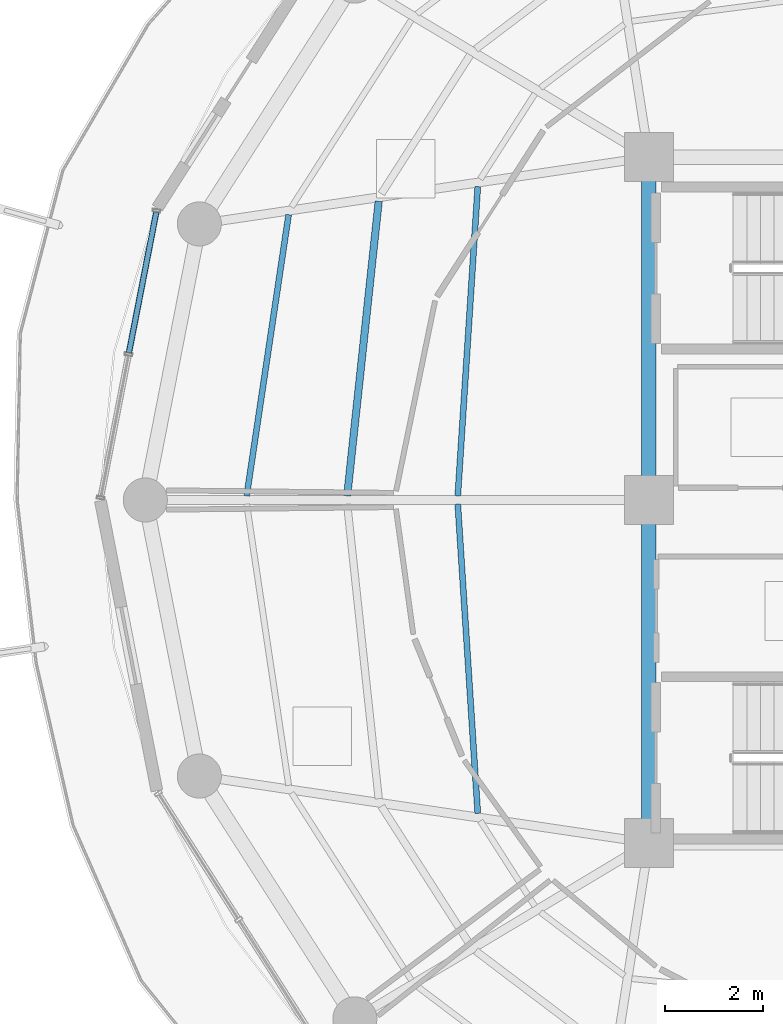
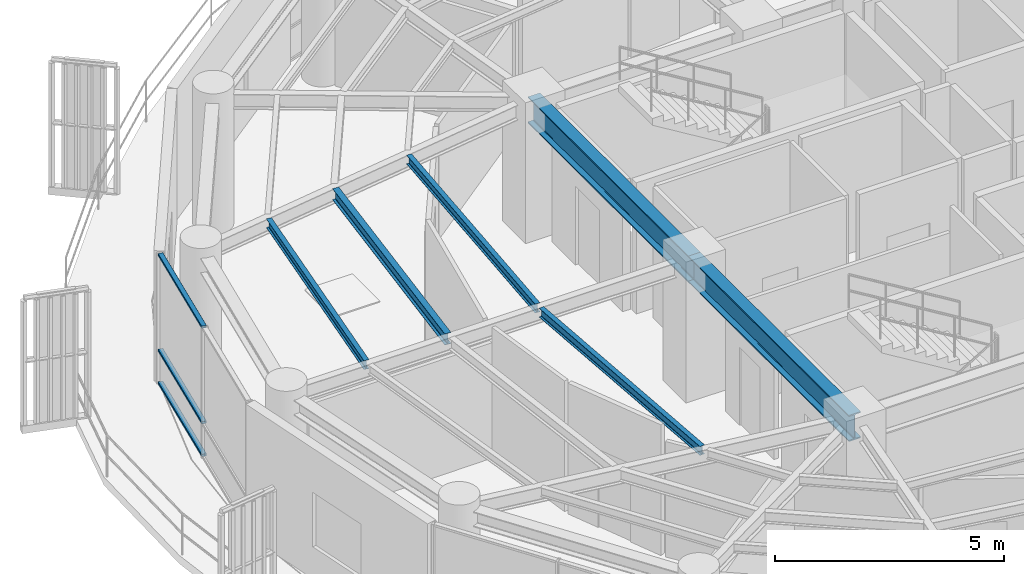
# One storey, part 6 of 22: 6 beams, 3 members, 1 element without a shape of its own.
"""IFC4 building model written with IfcOpenShell, lengths in metres."""

from ifc_helpers import new_model, si_unit, direction, frame, origin, origin_2d, place, context, subcontext, project, spatial, hollow_rectangle, i_section, extrude, material, layer, layer_set, material_profile, profile_set, type_object, element, aggregate, save


model = new_model("IFC4")

# Units and contexts
model_context = context("Model", 3, precision=1e-05, world=origin(), true_north=direction((0.0, 1.0)))
body_context = subcontext(model_context, "Body", "Model", "MODEL_VIEW")
ifc_project = project(units=[si_unit("LENGTHUNIT", "METRE"), si_unit("AREAUNIT", "SQUARE_METRE"), si_unit("VOLUMEUNIT", "CUBIC_METRE"), si_unit("PLANEANGLEUNIT", "RADIAN"), si_unit("MASSUNIT", "GRAM", prefix="KILO")], contexts=[model_context])

# Site, building, storey
site_placement = place(None, origin())
site = spatial("IfcSite", under=ifc_project, at=site_placement, CompositionType="ELEMENT")
building_placement = place(site_placement, origin())
building = spatial("IfcBuilding", under=site, at=building_placement, Name="Kelanora Arch Commons", CompositionType="ELEMENT")
storey_placement = place(building_placement, frame((0.0, 0.0, 263.699951171875)))
storey = spatial("IfcBuildingStorey", under=building, at=storey_placement, Name="L67", CompositionType="ELEMENT", Elevation=263.699951171875)

# Beams
ifc_material_1 = material(Name="Steel S355", Category="steel")
ifc_material_profile_1 = material_profile(ifc_material_1, i_section(OverallWidth=0.300048828125, OverallDepth=0.699951171875, WebThickness=0.01708984375, FlangeThickness=0.031982421875, FilletRadius=0.027099609375, at=origin_2d()), Name="HEB700")
ifc_profile_set_1 = profile_set([ifc_material_profile_1], Name="Steel S355")
beam_type_1 = type_object("IfcBeamType", Name="BM-CORE-HDR", PredefinedType="BEAM", material=ifc_profile_set_1)
for number, where, z_axis, x_axis, name in (
    (1, (66.0, 65.0, 3.14013671875), (0.0, -1.0, 0.0), (1.0, 0.0, 0.0), "Core Header Beam 08 L67"),
    (2, (66.0, 58.0, 3.14013671875), (0.0, -1.0, 0.0), (1.0, 0.0, 0.0), "Core Header Beam 09 L67"),
):
    element("IfcBeam", number, at=place(storey_placement, frame(where, z_axis=z_axis, x_axis=x_axis)), inside=storey, type_object=beam_type_1, Name=name, PredefinedType="BEAM", context=body_context, shape_type="SweptSolid", body=[
        extrude(i_section(OverallWidth=0.300048828125, OverallDepth=0.699951171875, WebThickness=0.01708984375, FlangeThickness=0.031982421875, FilletRadius=0.027099609375, at=origin_2d()), origin(), (0.0, 0.0, 1.0), 7.0),
    ])
ifc_material_profile_2 = material_profile(ifc_material_1, i_section(OverallWidth=0.14990234375, OverallDepth=0.300048828125, WebThickness=0.007080078125, FlangeThickness=0.0107421875, FilletRadius=0.014892578125, at=origin_2d()), Name="IPE300")
ifc_profile_set_2 = profile_set([ifc_material_profile_2], Name="Steel S355")
beam_type_2 = type_object("IfcBeamType", Name="BM-JST-01", PredefinedType="JOIST", material=ifc_profile_set_2)
beam_1_placement = place(storey_placement, frame((60.484375, 64.097412109375, 3.340087890625), z_axis=(-0.106380594087, -0.994325484538, 0.0), x_axis=(0.994325484538, -0.106380594087, 0.0)))
element("IfcBeam", 3, at=beam_1_placement, inside=storey, type_object=beam_type_2, Name="Secondary Chord Joist BJB-16 L67", PredefinedType="JOIST", context=body_context, shape_type="SweptSolid", body=[
    extrude(i_section(OverallWidth=0.14990234375, OverallDepth=0.300048828125, WebThickness=0.007080078125, FlangeThickness=0.0107421875, FilletRadius=0.014892578125, at=origin_2d()), origin(), (0.0, 0.0, 1.0), 6.04736328125),
])
ifc_material_profile_3 = material_profile(ifc_material_1, i_section(OverallWidth=0.1201171875, OverallDepth=0.239990234375, WebThickness=0.006103515625, FlangeThickness=0.009765625, FilletRadius=0.014892578125, at=origin_2d()), Name="IPE240")
ifc_profile_set_3 = profile_set([ifc_material_profile_3], Name="Steel S355")
beam_type_3 = type_object("IfcBeamType", Name="BM-JST-02", PredefinedType="JOIST", material=ifc_profile_set_3)
beam_2_placement = place(storey_placement, frame((62.507080078125, 64.39697265625, 3.3701171875), z_axis=(-0.064495107978, -0.99791802321, 0.0), x_axis=(0.99791802321, -0.064495107978, 0.0)))
element("IfcBeam", 4, at=beam_2_placement, inside=storey, type_object=beam_type_3, Name="Secondary Chord Joist BJA-16 L67", PredefinedType="JOIST", context=body_context, shape_type="SweptSolid", body=[
    extrude(i_section(OverallWidth=0.1201171875, OverallDepth=0.239990234375, WebThickness=0.006103515625, FlangeThickness=0.009765625, FilletRadius=0.014892578125, at=origin_2d()), origin(), (0.0, 0.0, 1.0), 6.325439453125),
])
beam_3_placement = place(storey_placement, frame((58.6455078125, 63.8251953125, 3.3701171875), z_axis=(-0.14762470282, -0.989043450571, 0.0), x_axis=(0.989043450571, -0.14762470282, 0.0)))
element("IfcBeam", 5, at=beam_3_placement, inside=storey, type_object=beam_type_3, Name="Secondary Chord Joist BJC-16 L67", PredefinedType="JOIST", context=body_context, shape_type="SweptSolid", body=[
    extrude(i_section(OverallWidth=0.1201171875, OverallDepth=0.239990234375, WebThickness=0.006103515625, FlangeThickness=0.009765625, FilletRadius=0.014892578125, at=origin_2d()), origin(), (0.0, 0.0, 1.0), 5.804931640625),
])
beam_4_placement = place(storey_placement, frame((62.09912109375, 57.915283203125, 3.3701171875), z_axis=(0.064495107978, -0.99791802321, 0.0), x_axis=(0.99791802321, 0.064495107978, 0.0)))
element("IfcBeam", 6, at=beam_4_placement, inside=storey, type_object=beam_type_3, Name="Secondary Chord Joist BJA-18 L67", PredefinedType="JOIST", context=body_context, shape_type="SweptSolid", body=[
    extrude(i_section(OverallWidth=0.1201171875, OverallDepth=0.239990234375, WebThickness=0.006103515625, FlangeThickness=0.009765625, FilletRadius=0.014892578125, at=origin_2d()), origin(), (0.0, 0.0, 1.0), 6.325439453125),
])

# Curtain wall, members
ifc_material_2 = material(Name="Terracotta ceramic-fritted low-E glass and aluminium", Category="masonry")
ifc_layer = layer(ifc_material_2, 0.18994140625)
ifc_layer_set = layer_set([ifc_layer], Name="Terracotta ceramic-fritted low-E glass and aluminium")
curtain_wall_type = type_object("IfcCurtainWallType", Name="CW-SYS-03", PredefinedType="NOTDEFINED", material=ifc_layer_set)
curtain_wall_placement = place(storey_placement, origin())
curtain_wall = element("IfcCurtainWall", 7, at=curtain_wall_placement, inside=storey, type_object=curtain_wall_type, Name="Unitised Curtain Wall L67-B08", PredefinedType="NOTDEFINED")
ifc_material_3 = material(Name="Powder-coated aluminium terracotta", Category="masonry")
ifc_material_profile_4 = material_profile(ifc_material_3, hollow_rectangle(XDim=0.1201171875, YDim=0.06005859375, WallThickness=0.0048828125, InnerFilletRadius=0.0048828125, OuterFilletRadius=0.010009765625, at=origin_2d()), Name="CWT120x60")
ifc_profile_set_4 = profile_set([ifc_material_profile_4], Name="Powder-coated aluminium terracotta")
member_type = type_object("IfcMemberType", Name="CWT-STD", PredefinedType="USERDEFINED", material=ifc_profile_set_4)
member_1_placement = place(storey_placement, frame((55.943603515625, 63.877685546875, 0.030029296875), z_axis=(-0.190963443354, -0.981597149192, 0.0), x_axis=(0.981597149192, -0.190963443354, 0.0)))
member_1 = element("IfcMember", 8, at=member_1_placement, type_object=member_type, Name="CW-03 transom 1.1", ObjectType="TRANSOM", PredefinedType="USERDEFINED", context=body_context, shape_type="SweptSolid", body=[
    extrude(hollow_rectangle(XDim=0.1201171875, YDim=0.06005859375, WallThickness=0.0048828125, InnerFilletRadius=0.0048828125, OuterFilletRadius=0.010009765625, at=origin_2d()), origin(), (0.0, 0.0, 1.0), 2.926513671875),
])
member_2_placement = place(storey_placement, frame((55.943603515625, 63.877685546875, 0.900146484375), z_axis=(-0.190963443354, -0.981597149192, 0.0), x_axis=(0.981597149192, -0.190963443354, 0.0)))
member_2 = element("IfcMember", 9, at=member_2_placement, type_object=member_type, Name="CW-03 transom 1.2", ObjectType="TRANSOM", PredefinedType="USERDEFINED", context=body_context, shape_type="SweptSolid", body=[
    extrude(hollow_rectangle(XDim=0.1201171875, YDim=0.06005859375, WallThickness=0.0048828125, InnerFilletRadius=0.0048828125, OuterFilletRadius=0.010009765625, at=origin_2d()), origin(), (0.0, 0.0, 1.0), 2.926513671875),
])
member_3_placement = place(storey_placement, frame((55.943603515625, 63.877685546875, 3.445068359375), z_axis=(-0.190963443354, -0.981597149192, 0.0), x_axis=(0.981597149192, -0.190963443354, 0.0)))
member_3 = element("IfcMember", 10, at=member_3_placement, type_object=member_type, Name="CW-03 transom 1.3", ObjectType="TRANSOM", PredefinedType="USERDEFINED", context=body_context, shape_type="SweptSolid", body=[
    extrude(hollow_rectangle(XDim=0.1201171875, YDim=0.06005859375, WallThickness=0.0048828125, InnerFilletRadius=0.0048828125, OuterFilletRadius=0.010009765625, at=origin_2d()), origin(), (0.0, 0.0, 1.0), 2.926513671875),
])
aggregate(curtain_wall, [member_1, member_2, member_3])

save(model, "model.ifc")
